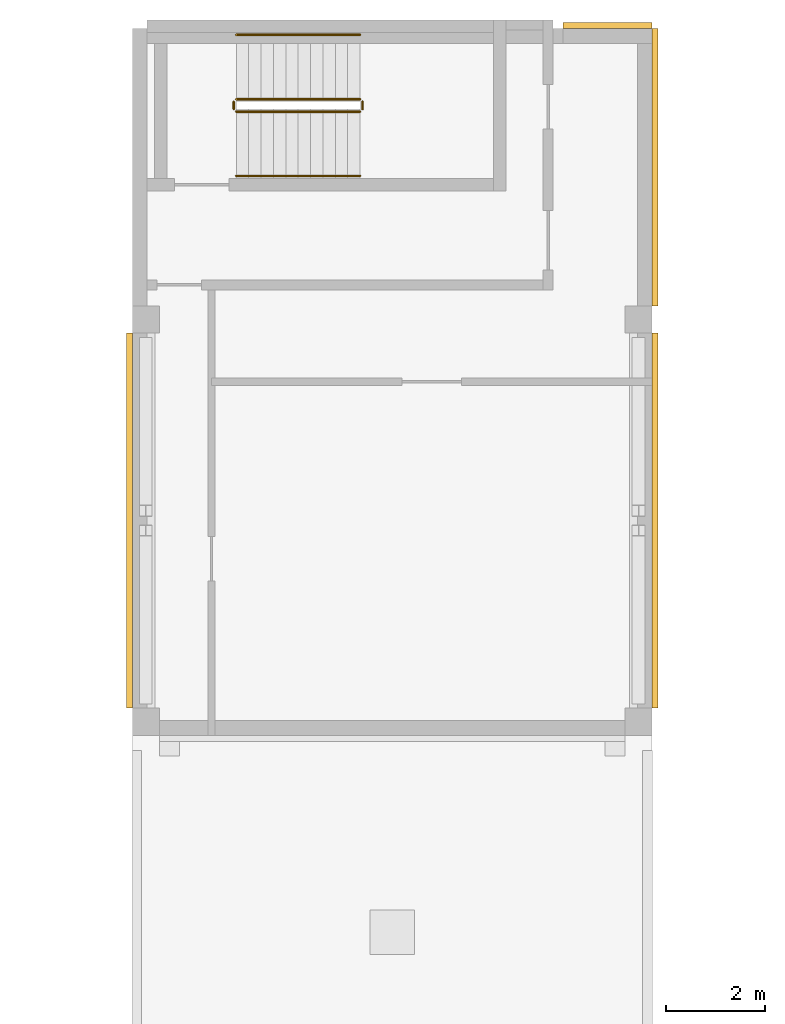
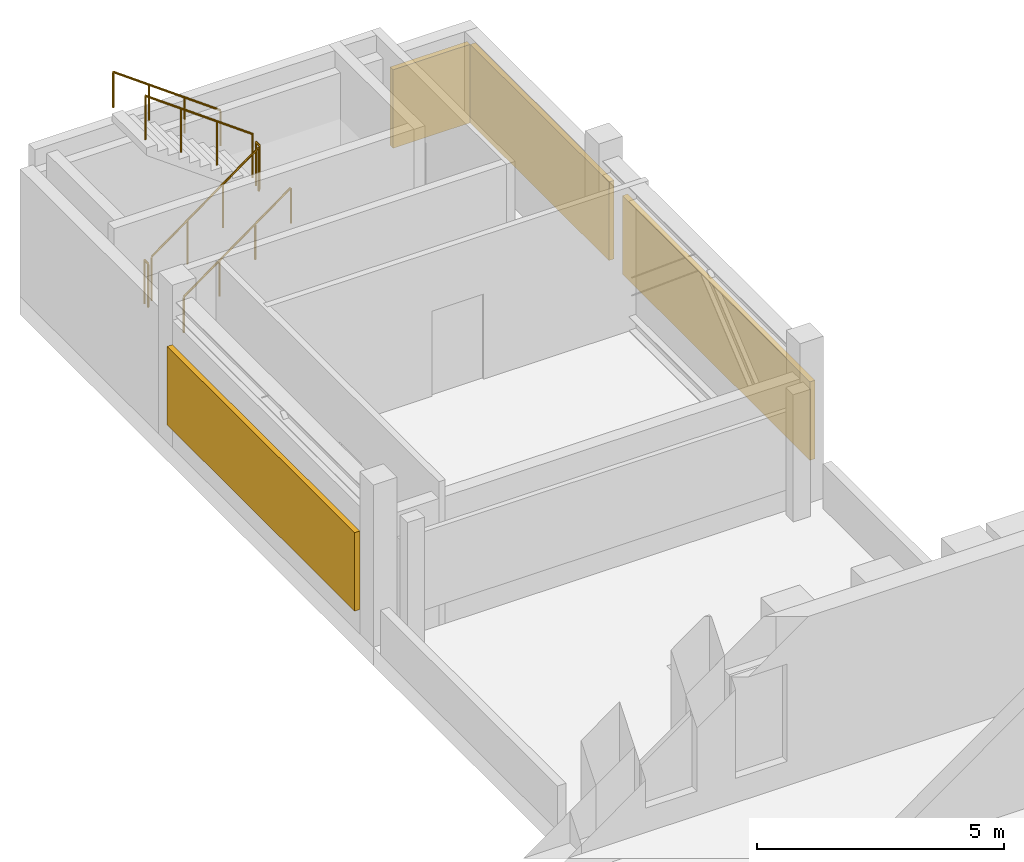
# One storey, part 7 of 8: 6 railings, 4 coverings.
"""IFC4 building model written with IfcOpenShell, lengths in metres."""

from ifc_helpers import new_model, si_unit, direction, frame, origin, origin_2d, place, context, subcontext, project, spatial, rectangle, circle, extrude, source, transform, mapped, material, type_object, element, save


model = new_model("IFC4")

# Units and contexts
model_context = context("Model", 3, precision=1e-05, world=origin(), true_north=direction((0.0, 1.0)))
body_context = subcontext(model_context, "Body", "Model", "MODEL_VIEW")
ifc_project = project(units=[si_unit("LENGTHUNIT", "METRE"), si_unit("AREAUNIT", "SQUARE_METRE"), si_unit("VOLUMEUNIT", "CUBIC_METRE"), si_unit("PLANEANGLEUNIT", "RADIAN"), si_unit("MASSUNIT", "GRAM", prefix="KILO")], contexts=[model_context])

# Site, building, storey
site_placement = place(None, origin())
site = spatial("IfcSite", under=ifc_project, at=site_placement, CompositionType="ELEMENT")
building_placement = place(site_placement, origin())
building = spatial("IfcBuilding", under=site, at=building_placement, Name="Aurelian Terraces", CompositionType="ELEMENT")
storey_placement = place(building_placement, frame((0.0, 0.0, 368.5)))
storey = spatial("IfcBuildingStorey", under=building, at=storey_placement, Name="L88", CompositionType="ELEMENT", Elevation=368.5)

# Coverings
ifc_material_1 = material(Name="Terracotta rainscreen cladding louvre blades", Category="masonry")
covering_type = type_object("IfcCoveringType", Name="LOUVRE-TC", PredefinedType="CLADDING", material=ifc_material_1)
covering_1_placement = place(storey_placement, frame((21.06, 33.7375, 0.6001), z_axis=(0.0, 0.0, 1.0), x_axis=(1.0, 0.0, 0.0)))
element("IfcCovering", 1, at=covering_1_placement, inside=storey, type_object=covering_type, Name="LOUVRE L88 F10", PredefinedType="CLADDING", context=body_context, shape_type="SweptSolid", body=[
    extrude(rectangle(XDim=0.12, YDim=7.575, at=origin_2d()), origin(), (0.0, 0.0, 1.0), 1.9363),
])
covering_2_placement = place(storey_placement, frame((21.06, 40.8775, 0.6001), z_axis=(0.0, 0.0, 1.0), x_axis=(1.0, 0.0, 0.0)))
element("IfcCovering", 2, at=covering_2_placement, inside=storey, type_object=covering_type, Name="LOUVRE L88 F10", PredefinedType="CLADDING", context=body_context, shape_type="SweptSolid", body=[
    extrude(rectangle(XDim=0.12, YDim=5.605, at=origin_2d()), origin(), (0.0, 0.0, 1.0), 1.9363),
])
covering_3_placement = place(storey_placement, frame((20.1, 43.74, 0.6001), z_axis=(0.0, 0.0, 1.0), x_axis=(1.0, 0.0, 0.0)))
element("IfcCovering", 3, at=covering_3_placement, inside=storey, type_object=covering_type, Name="LOUVRE L88 F11", PredefinedType="CLADDING", context=body_context, shape_type="SweptSolid", body=[
    extrude(rectangle(XDim=1.8, YDim=0.12, at=origin_2d()), origin(), (0.0, 0.0, 1.0), 1.9363),
])
shared_shape_1 = source(origin(), body_context, "Body", "SweptSolid", [
    extrude(rectangle(XDim=0.12, YDim=7.575, at=origin_2d()), origin(), (0.0, 0.0, 1.0), 1.9363),
])
covering_4_placement = place(storey_placement, frame((10.44, 33.7375, 0.6001), z_axis=(0.0, 0.0, 1.0), x_axis=(1.0, 0.0, 0.0)))
element("IfcCovering", 4, at=covering_4_placement, inside=storey, type_object=covering_type, Name="LOUVRE L88 F12", PredefinedType="CLADDING", context=body_context, shape_type="MappedRepresentation", body=[
    mapped(shared_shape_1, transform((0.0, 0.0, 0.0), scale=1.0)),
])

# Railings
ifc_material_2 = material(Name="Stainless steel", Category="steel")
railing_type_1 = type_object("IfcRailingType", Name="Stair guard 1100", PredefinedType="GUARDRAIL", material=ifc_material_2)
shared_shape_2 = source(origin(), body_context, "Body", "SweptSolid", [
    extrude(circle(Radius=0.024, at=origin_2d()), frame((0.0, 0.0, 1.076), z_axis=(0.0, 1.0, 0.0), x_axis=(-1.0, 0.0, 0.0)), (0.0, 0.0, 1.0), 0.15),
    extrude(circle(Radius=0.021, at=origin_2d()), origin(), (0.0, 0.0, 1.0), 1.052),
    extrude(circle(Radius=0.021, at=origin_2d()), frame((0.0, 0.15, 0.0)), (0.0, 0.0, 1.0), 1.052),
])
for number, where, name in (
    (5, (15.15, 42.05, 2.0), "L88 S3U stair guard 2"),
    (6, (12.55, 42.05, 0.0), "L88 S3U stair guard 4"),
):
    element("IfcRailing", number, at=place(storey_placement, frame(where)), inside=storey, type_object=railing_type_1, Name=name, PredefinedType="GUARDRAIL", context=body_context, shape_type="MappedRepresentation", body=[
        mapped(shared_shape_2, transform((0.0, 0.0, 0.0), scale=1.0)),
    ])
shared_shape_3 = source(origin(), body_context, "Body", "SweptSolid", [
    extrude(circle(Radius=0.024, at=origin_2d()), frame((0.0, 0.0, 1.076), z_axis=(0.808733286514, 0.0, 0.588175544616), x_axis=(0.0, 1.0, 0.0)), (0.0, 0.0, 1.0), 3.0913),
    extrude(circle(Radius=0.021, at=origin_2d()), origin(), (0.0, 0.0, 1.0), 1.052),
    extrude(circle(Radius=0.021, at=origin_2d()), frame((0.8333, 0.0, 0.6061)), (0.0, 0.0, 1.0), 1.052),
    extrude(circle(Radius=0.021, at=origin_2d()), frame((1.6667, 0.0, 1.2121)), (0.0, 0.0, 1.0), 1.052),
    extrude(circle(Radius=0.021, at=origin_2d()), frame((2.5, 0.0, 1.8182)), (0.0, 0.0, 1.0), 1.052),
])
railing_1_placement = place(storey_placement, frame((12.6, 42.0, 0.1818)))
element("IfcRailing", 7, at=railing_1_placement, inside=storey, type_object=railing_type_1, Name="L88 S3U stair guard 1", PredefinedType="GUARDRAIL", context=body_context, shape_type="MappedRepresentation", body=[
    mapped(shared_shape_3, transform((0.0, 0.0, 0.0), scale=1.0)),
])
shared_shape_4 = source(origin(), body_context, "Body", "SweptSolid", [
    extrude(circle(Radius=0.024, at=origin_2d()), frame((0.0, 0.0, 1.076), z_axis=(-0.808733286514, 0.0, 0.588175544616), x_axis=(0.0, -1.0, 0.0)), (0.0, 0.0, 1.0), 3.0913),
    extrude(circle(Radius=0.021, at=origin_2d()), origin(), (0.0, 0.0, 1.0), 1.052),
    extrude(circle(Radius=0.021, at=origin_2d()), frame((-0.8333, 0.0, 0.6061)), (0.0, 0.0, 1.0), 1.052),
    extrude(circle(Radius=0.021, at=origin_2d()), frame((-1.6667, 0.0, 1.2121)), (0.0, 0.0, 1.0), 1.052),
    extrude(circle(Radius=0.021, at=origin_2d()), frame((-2.5, 0.0, 1.8182)), (0.0, 0.0, 1.0), 1.052),
])
railing_2_placement = place(storey_placement, frame((15.1, 42.25, 2.1818)))
element("IfcRailing", 8, at=railing_2_placement, inside=storey, type_object=railing_type_1, Name="L88 S3U stair guard 3", PredefinedType="GUARDRAIL", context=body_context, shape_type="MappedRepresentation", body=[
    mapped(shared_shape_4, transform((0.0, 0.0, 0.0), scale=1.0)),
])
railing_type_2 = type_object("IfcRailingType", Name="Stair handrail", PredefinedType="HANDRAIL", material=ifc_material_2)
shared_shape_5 = source(origin(), body_context, "Body", "SweptSolid", [
    extrude(circle(Radius=0.024, at=origin_2d()), frame((0.0, 0.0, 0.876), z_axis=(0.808733286514, 0.0, 0.588175544616), x_axis=(0.0, 1.0, 0.0)), (0.0, 0.0, 1.0), 3.0913),
    extrude(circle(Radius=0.021, at=origin_2d()), origin(), (0.0, 0.0, 1.0), 0.852),
    extrude(circle(Radius=0.021, at=origin_2d()), frame((0.8333, 0.0, 0.6061)), (0.0, 0.0, 1.0), 0.852),
    extrude(circle(Radius=0.021, at=origin_2d()), frame((1.6667, 0.0, 1.2121)), (0.0, 0.0, 1.0), 0.852),
    extrude(circle(Radius=0.021, at=origin_2d()), frame((2.5, 0.0, 1.8182)), (0.0, 0.0, 1.0), 0.852),
])
railing_3_placement = place(storey_placement, frame((12.6, 40.7, 0.1818)))
element("IfcRailing", 9, at=railing_3_placement, inside=storey, type_object=railing_type_2, Name="L88 S3U stair handrail 1", PredefinedType="HANDRAIL", context=body_context, shape_type="MappedRepresentation", body=[
    mapped(shared_shape_5, transform((0.0, 0.0, 0.0), scale=1.0)),
])
shared_shape_6 = source(origin(), body_context, "Body", "SweptSolid", [
    extrude(circle(Radius=0.024, at=origin_2d()), frame((0.0, 0.0, 0.876), z_axis=(-0.808733286514, 0.0, 0.588175544616), x_axis=(0.0, -1.0, 0.0)), (0.0, 0.0, 1.0), 3.0913),
    extrude(circle(Radius=0.021, at=origin_2d()), origin(), (0.0, 0.0, 1.0), 0.852),
    extrude(circle(Radius=0.021, at=origin_2d()), frame((-0.8333, 0.0, 0.6061)), (0.0, 0.0, 1.0), 0.852),
    extrude(circle(Radius=0.021, at=origin_2d()), frame((-1.6667, 0.0, 1.2121)), (0.0, 0.0, 1.0), 0.852),
    extrude(circle(Radius=0.021, at=origin_2d()), frame((-2.5, 0.0, 1.8182)), (0.0, 0.0, 1.0), 0.852),
])
railing_4_placement = place(storey_placement, frame((15.1, 43.55, 2.1818)))
element("IfcRailing", 10, at=railing_4_placement, inside=storey, type_object=railing_type_2, Name="L88 S3U stair handrail 2", PredefinedType="HANDRAIL", context=body_context, shape_type="MappedRepresentation", body=[
    mapped(shared_shape_6, transform((0.0, 0.0, 0.0), scale=1.0)),
])

save(model, "model.ifc")
